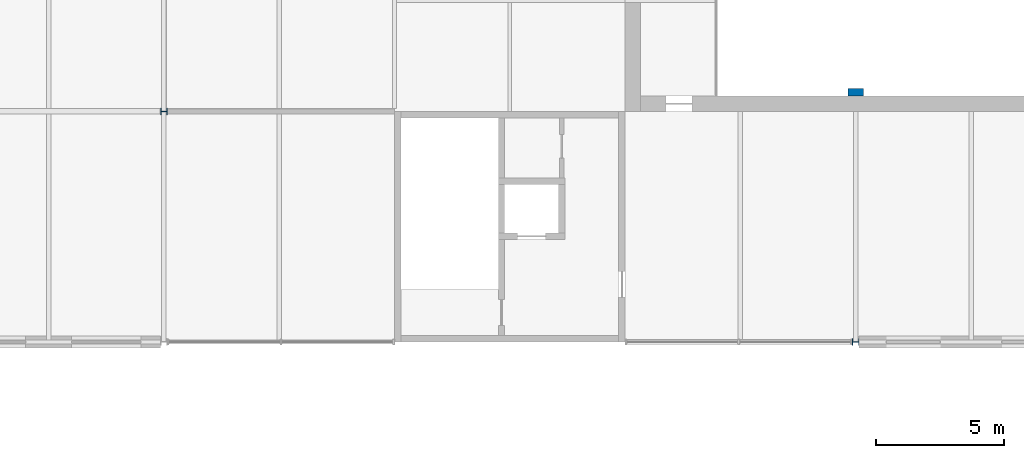
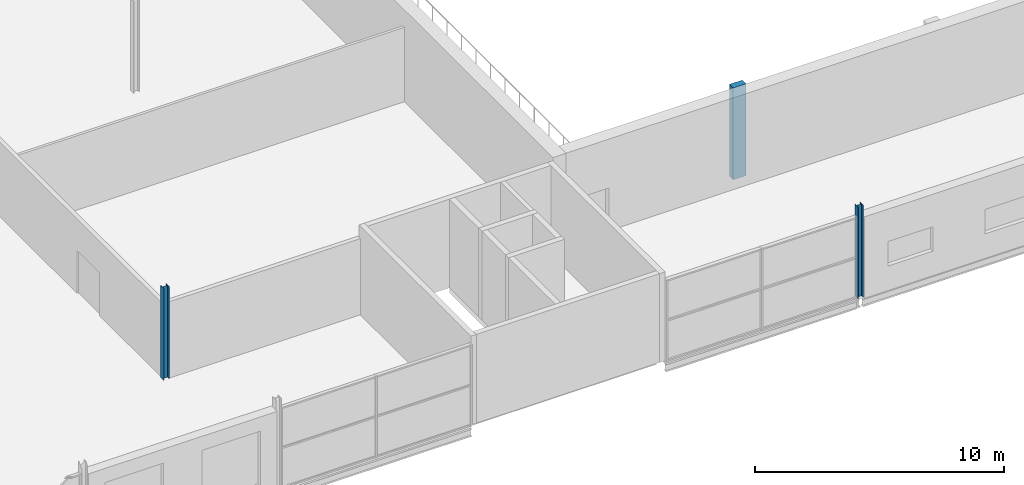
# One storey, part 11 of 138: 3 columns.
"""IFC4 building model written with IfcOpenShell, lengths in metres."""

from ifc_helpers import new_model, si_unit, direction, frame, origin, origin_2d, place, context, subcontext, project, spatial, rectangle, i_section, extrude, material, material_profile, profile_set, type_object, element, save


model = new_model("IFC4")

# Units and contexts
model_context = context("Model", 3, precision=1e-05, world=origin(), true_north=direction((0.0, 1.0)))
body_context = subcontext(model_context, "Body", "Model", "MODEL_VIEW")
ifc_project = project(units=[si_unit("LENGTHUNIT", "METRE"), si_unit("AREAUNIT", "SQUARE_METRE"), si_unit("VOLUMEUNIT", "CUBIC_METRE"), si_unit("PLANEANGLEUNIT", "RADIAN"), si_unit("MASSUNIT", "GRAM", prefix="KILO")], contexts=[model_context])

# Site, building, storey
site_placement = place(None, origin())
site = spatial("IfcSite", under=ifc_project, at=site_placement, CompositionType="ELEMENT")
building_placement = place(site_placement, origin())
building = spatial("IfcBuilding", under=site, at=building_placement, Name="Corbel Yard City Hall", CompositionType="ELEMENT")
storey_placement = place(building_placement, frame((0.0, 0.0, 10.5)))
storey = spatial("IfcBuildingStorey", under=building, at=storey_placement, Name="L02", CompositionType="ELEMENT", Elevation=10.5)

# Columns
ifc_material_1 = material(Name="Concrete N50 (50 MPa)", Category="concrete")
ifc_material_profile_1 = material_profile(ifc_material_1, rectangle(XDim=0.60009765625, YDim=0.300048828125, at=origin_2d()), Name="600x300")
ifc_profile_set_1 = profile_set([ifc_material_profile_1], Name="Concrete N50 (50 MPa)")
column_type_1 = type_object("IfcColumnType", Name="Chamber pilaster RC 600X300", PredefinedType="PILASTER", material=ifc_profile_set_1)
column_1_placement = place(storey_placement, frame((126.0, 54.75, 0.0), z_axis=(0.0, 0.0, 1.0), x_axis=(1.0, 0.0, 0.0)))
element("IfcColumn", 1, at=column_1_placement, inside=storey, type_object=column_type_1, Name="Chamber pilaster RC 600X300 RC2 L02", PredefinedType="PILASTER", context=body_context, shape_type="SweptSolid", body=[
    extrude(rectangle(XDim=0.60009765625, YDim=0.300048828125, at=origin_2d()), origin(), (0.0, 0.0, 1.0), 4.5),
])
ifc_material_2 = material(Name="Steel Grade 300 (300 MPa yield)", Category="steel")
ifc_material_profile_2 = material_profile(ifc_material_2, i_section(OverallWidth=0.25390625, OverallDepth=0.25390625, WebThickness=0.008544921875, FlangeThickness=0.01416015625, at=origin_2d()), Name="250UC72.9")
ifc_profile_set_2 = profile_set([ifc_material_profile_2], Name="Steel Grade 300 (300 MPa yield)")
column_type_2 = type_object("IfcColumnType", Name="Column 250UC72.9", PredefinedType="COLUMN", material=ifc_profile_set_2)
column_2_placement = place(storey_placement, frame((126.0, 45.0, 0.0), z_axis=(0.0, 0.0, 1.0), x_axis=(0.0, 1.0, 0.0)))
element("IfcColumn", 2, at=column_2_placement, inside=storey, type_object=column_type_2, Name="Column 250UC72.9 F/15 L02", PredefinedType="COLUMN", context=body_context, shape_type="SweptSolid", body=[
    extrude(i_section(OverallWidth=0.25390625, OverallDepth=0.25390625, WebThickness=0.008544921875, FlangeThickness=0.01416015625, at=origin_2d()), origin(), (0.0, 0.0, 1.0), 4.5),
])
ifc_material_profile_3 = material_profile(ifc_material_2, i_section(OverallWidth=0.256103515625, OverallDepth=0.260009765625, WebThickness=0.010498046875, FlangeThickness=0.017333984375, at=origin_2d()), Name="250UC89.5")
ifc_profile_set_3 = profile_set([ifc_material_profile_3], Name="Steel Grade 300 (300 MPa yield)")
column_type_3 = type_object("IfcColumnType", Name="Column 250UC89.5", PredefinedType="COLUMN", material=ifc_profile_set_3)
column_3_placement = place(storey_placement, frame((99.0, 54.0, 0.0), z_axis=(0.0, 0.0, 1.0), x_axis=(0.0, 1.0, 0.0)))
element("IfcColumn", 3, at=column_3_placement, inside=storey, type_object=column_type_3, Name="Column 250UC89.5 G/12 L02", PredefinedType="COLUMN", context=body_context, shape_type="SweptSolid", body=[
    extrude(i_section(OverallWidth=0.256103515625, OverallDepth=0.260009765625, WebThickness=0.010498046875, FlangeThickness=0.017333984375, at=origin_2d()), origin(), (0.0, 0.0, 1.0), 4.5),
])

save(model, "model.ifc")
